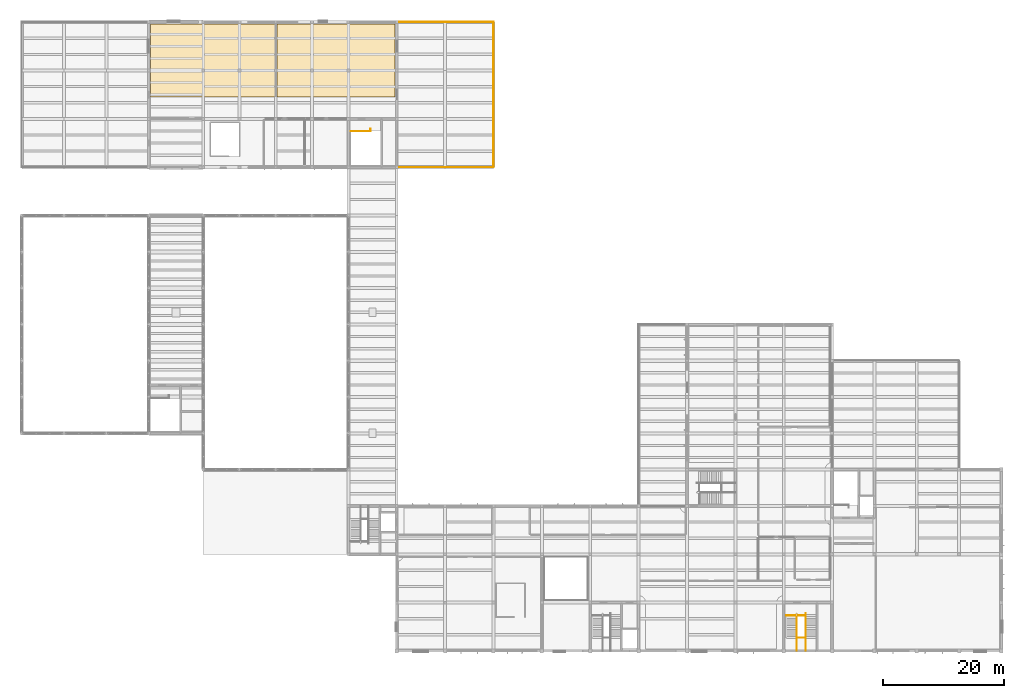
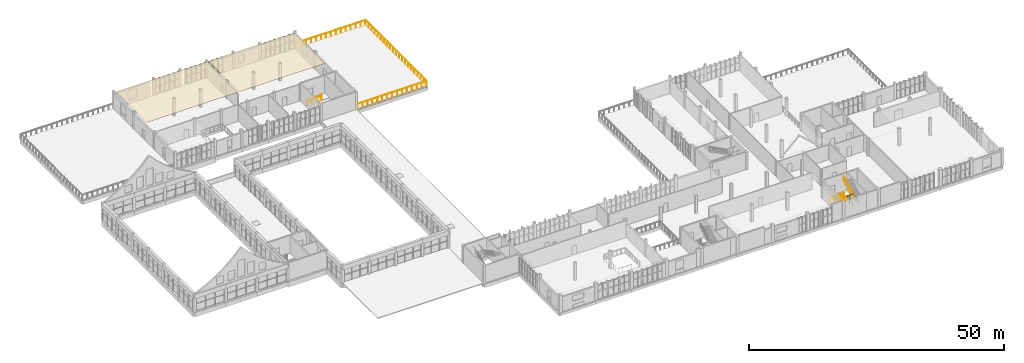
# One storey, part 68 of 70: 6 railings, 2 coverings.
"""IFC4 building model written with IfcOpenShell, lengths in metres."""

from ifc_helpers import new_model, si_unit, direction, frame, origin, origin_2d, place, context, subcontext, project, spatial, polyline, circle, outline, extrude, material, layer, layer_set, type_object, element, save


model = new_model("IFC4")

# Units and contexts
model_context = context("Model", 3, precision=1e-05, world=origin(), true_north=direction((0.0, 1.0)))
body_context = subcontext(model_context, "Body", "Model", "MODEL_VIEW")
ifc_project = project(units=[si_unit("LENGTHUNIT", "METRE"), si_unit("AREAUNIT", "SQUARE_METRE"), si_unit("VOLUMEUNIT", "CUBIC_METRE"), si_unit("PLANEANGLEUNIT", "RADIAN"), si_unit("MASSUNIT", "GRAM", prefix="KILO")], contexts=[model_context])

# Site, building, storey
site_placement = place(None, origin())
site = spatial("IfcSite", under=ifc_project, at=site_placement, CompositionType="ELEMENT")
building_placement = place(site_placement, origin())
building = spatial("IfcBuilding", under=site, at=building_placement, Name="Solvane Community Centre", CompositionType="ELEMENT")
storey_placement = place(building_placement, frame((0.0, 0.0, 9.60009765625)))
storey = spatial("IfcBuildingStorey", under=building, at=storey_placement, Name="L02", CompositionType="ELEMENT", Elevation=9.60009765625)

# Coverings
ifc_material_1 = material(Name="Acoustic timber slat ceiling", Category="wood")
ifc_layer = layer(ifc_material_1, 0.0400390625)
ifc_layer_set = layer_set([ifc_layer], Name="Acoustic timber slat ceiling")
covering_type = type_object("IfcCoveringType", Name="Acoustic Timber Slat Suspended Ceiling", PredefinedType="CEILING", material=ifc_layer_set)
covering_1_placement = place(storey_placement, frame((0.0, 0.0, 3.954833984375)))
element("IfcCovering", 1, at=covering_1_placement, inside=storey, type_object=covering_type, Name="Acoustic Ceiling L02-21", PredefinedType="CEILING", context=body_context, shape_type="SweptSolid", body=[
    extrude(outline(polyline([(27.320068359375, 97.6201171875), (27.320068359375, 109.679931640625), (47.97998046875, 109.679931640625), (47.97998046875, 97.6201171875), (27.320068359375, 97.6201171875)])), origin(), (0.0, 0.0, 1.0), 0.0400390625),
])
covering_2_placement = place(storey_placement, frame((0.0, 0.0, 3.954833984375)))
element("IfcCovering", 2, at=covering_2_placement, inside=storey, type_object=covering_type, Name="Acoustic Ceiling L02-22", PredefinedType="CEILING", context=body_context, shape_type="SweptSolid", body=[
    extrude(outline(polyline([(48.219970703125, 97.6201171875), (48.219970703125, 109.679931640625), (67.679931640625, 109.679931640625), (67.679931640625, 97.6201171875), (48.219970703125, 97.6201171875)])), origin(), (0.0, 0.0, 1.0), 0.0400390625),
])

# Railings
ifc_material_2 = material(Name="Anodised bronze aluminium AW-6063 T6", Category="aluminium")
railing_type_1 = type_object("IfcRailingType", Name="Interior Gallery & Stair Well Guard 1150mm", PredefinedType="BALUSTRADE", material=ifc_material_2)
railing_1_placement = place(storey_placement, frame((134.14990234375, 6.06005859375, 2.099853515625)))
element("IfcRailing", 3, at=railing_1_placement, inside=storey, type_object=railing_type_1, Name="Railing GR-L02-049", PredefinedType="BALUSTRADE", context=body_context, shape_type="SweptSolid", body=[
    extrude(circle(Radius=0.02392578125, at=origin_2d()), frame((0.0, 0.0, 1.1259765625), z_axis=(0.0, 1.0, 0.0), x_axis=(-1.0, 0.0, 0.0)), (0.0, 0.0, 1.0), 2.119873046875),
    extrude(circle(Radius=0.02392578125, at=origin_2d()), frame((0.0, 2.119873046875, 1.1259765625), z_axis=(1.0, 0.0, 0.0), x_axis=(0.0, 1.0, 0.0)), (0.0, 0.0, 1.0), 1.5),
    extrude(circle(Radius=0.02392578125, at=origin_2d()), frame((1.5, 2.119873046875, 1.1259765625), z_axis=(0.0, -1.0, 0.0), x_axis=(1.0, 0.0, 0.0)), (0.0, 0.0, 1.0), 2.119873046875),
    extrude(circle(Radius=0.02099609375, at=origin_2d()), origin(), (0.0, 0.0, 1.0), 1.101806640625),
    extrude(circle(Radius=0.02099609375, at=origin_2d()), frame((0.0, 1.06005859375, 0.0)), (0.0, 0.0, 1.0), 1.101806640625),
    extrude(circle(Radius=0.02099609375, at=origin_2d()), frame((0.0, 2.119873046875, 0.0)), (0.0, 0.0, 1.0), 1.101806640625),
    extrude(circle(Radius=0.02099609375, at=origin_2d()), frame((0.75, 2.119873046875, 0.0)), (0.0, 0.0, 1.0), 1.101806640625),
    extrude(circle(Radius=0.02099609375, at=origin_2d()), frame((1.5, 2.119873046875, 0.0)), (0.0, 0.0, 1.0), 1.101806640625),
    extrude(circle(Radius=0.02099609375, at=origin_2d()), frame((1.5, 1.06005859375, 0.0)), (0.0, 0.0, 1.0), 1.101806640625),
    extrude(circle(Radius=0.02099609375, at=origin_2d()), frame((1.5, 0.0, 0.0)), (0.0, 0.0, 1.0), 1.101806640625),
])
railing_2_placement = place(storey_placement, frame((132.43994140625, 11.860107421875, 0.0)))
element("IfcRailing", 4, at=railing_2_placement, inside=storey, type_object=railing_type_1, Name="Railing GR-L02-050", PredefinedType="BALUSTRADE", context=body_context, shape_type="SweptSolid", body=[
    extrude(circle(Radius=0.02392578125, at=origin_2d()), frame((0.0, 0.0, 1.1259765625), z_axis=(1.0, 0.0, 0.0), x_axis=(0.0, 1.0, 0.0)), (0.0, 0.0, 1.0), 3.2099609375),
    extrude(circle(Radius=0.02392578125, at=origin_2d()), frame((3.2099609375, 0.0, 1.1259765625), z_axis=(0.0, 1.0, 0.0), x_axis=(-1.0, 0.0, 0.0)), (0.0, 0.0, 1.0), 0.389892578125),
    extrude(circle(Radius=0.02099609375, at=origin_2d()), origin(), (0.0, 0.0, 1.0), 1.101806640625),
    extrude(circle(Radius=0.02099609375, at=origin_2d()), frame((1.070068359375, 0.0, 0.0)), (0.0, 0.0, 1.0), 1.101806640625),
    extrude(circle(Radius=0.02099609375, at=origin_2d()), frame((2.139892578125, 0.0, 0.0)), (0.0, 0.0, 1.0), 1.101806640625),
    extrude(circle(Radius=0.02099609375, at=origin_2d()), frame((3.2099609375, 0.0, 0.0)), (0.0, 0.0, 1.0), 1.101806640625),
    extrude(circle(Radius=0.02099609375, at=origin_2d()), frame((3.2099609375, 0.389892578125, 0.0)), (0.0, 0.0, 1.0), 1.101806640625),
])
railing_3_placement = place(storey_placement, frame((60.43994140625, 91.9599609375, 0.0)))
element("IfcRailing", 5, at=railing_3_placement, inside=storey, type_object=railing_type_1, Name="Railing GR-L02-103", PredefinedType="BALUSTRADE", context=body_context, shape_type="SweptSolid", body=[
    extrude(circle(Radius=0.02392578125, at=origin_2d()), frame((0.0, 0.0, 1.1259765625), z_axis=(1.0, 0.0, 0.0), x_axis=(0.0, 1.0, 0.0)), (0.0, 0.0, 1.0), 3.2099609375),
    extrude(circle(Radius=0.02392578125, at=origin_2d()), frame((3.2099609375, 0.0, 1.1259765625), z_axis=(0.0, 1.0, 0.0), x_axis=(-1.0, 0.0, 0.0)), (0.0, 0.0, 1.0), 0.39013671875),
    extrude(circle(Radius=0.02099609375, at=origin_2d()), origin(), (0.0, 0.0, 1.0), 1.101806640625),
    extrude(circle(Radius=0.02099609375, at=origin_2d()), frame((1.070068359375, 0.0, 0.0)), (0.0, 0.0, 1.0), 1.101806640625),
    extrude(circle(Radius=0.02099609375, at=origin_2d()), frame((2.139892578125, 0.0, 0.0)), (0.0, 0.0, 1.0), 1.101806640625),
    extrude(circle(Radius=0.02099609375, at=origin_2d()), frame((3.2099609375, 0.0, 0.0)), (0.0, 0.0, 1.0), 1.101806640625),
    extrude(circle(Radius=0.02099609375, at=origin_2d()), frame((3.2099609375, 0.39013671875, 0.0)), (0.0, 0.0, 1.0), 1.101806640625),
])
railing_type_2 = type_object("IfcRailingType", Name="Stair Pitch Handrail 900mm", PredefinedType="HANDRAIL", material=ifc_material_2)
railing_4_placement = place(storey_placement, frame((134.14990234375, 12.0, 0.0)))
element("IfcRailing", 6, at=railing_4_placement, inside=storey, type_object=railing_type_2, Name="Railing HR-L02-047", PredefinedType="HANDRAIL", context=body_context, shape_type="SweptSolid", body=[
    extrude(circle(Radius=0.02392578125, at=origin_2d()), frame((0.0, 0.0, 0.8759765625), z_axis=(0.0, -0.881489763865, 0.472203130232), x_axis=(1.0, 0.0, 0.0)), (0.0, 0.0, 1.0), 4.447021484375),
    extrude(circle(Radius=0.02099609375, at=origin_2d()), origin(), (0.0, 0.0, 1.0), 0.851806640625),
    extrude(circle(Radius=0.02099609375, at=origin_2d()), frame((0.0, -0.783935546875, 0.419921875)), (0.0, 0.0, 1.0), 0.851806640625),
    extrude(circle(Radius=0.02099609375, at=origin_2d()), frame((0.0, -1.56787109375, 0.83984375)), (0.0, 0.0, 1.0), 0.851806640625),
    extrude(circle(Radius=0.02099609375, at=origin_2d()), frame((0.0, -2.35205078125, 1.260009765625)), (0.0, 0.0, 1.0), 0.851806640625),
    extrude(circle(Radius=0.02099609375, at=origin_2d()), frame((0.0, -3.135986328125, 1.679931640625)), (0.0, 0.0, 1.0), 0.851806640625),
    extrude(circle(Radius=0.02099609375, at=origin_2d()), frame((0.0, -3.919921875, 2.099853515625)), (0.0, 0.0, 1.0), 0.851806640625),
])
railing_5_placement = place(storey_placement, frame((135.64990234375, 8.080078125, 2.099853515625)))
element("IfcRailing", 7, at=railing_5_placement, inside=storey, type_object=railing_type_2, Name="Railing HR-L02-048", PredefinedType="HANDRAIL", context=body_context, shape_type="SweptSolid", body=[
    extrude(circle(Radius=0.02392578125, at=origin_2d()), frame((0.0, 0.0, 0.8759765625), z_axis=(0.0, 0.881466911329, 0.472245787945), x_axis=(-1.0, 0.0, 0.0)), (0.0, 0.0, 1.0), 4.447021484375),
    extrude(circle(Radius=0.02099609375, at=origin_2d()), origin(), (0.0, 0.0, 1.0), 0.851806640625),
    extrude(circle(Radius=0.02099609375, at=origin_2d()), frame((0.0, 0.783935546875, 0.419921875)), (0.0, 0.0, 1.0), 0.851806640625),
    extrude(circle(Radius=0.02099609375, at=origin_2d()), frame((0.0, 1.56787109375, 0.840087890625)), (0.0, 0.0, 1.0), 0.851806640625),
    extrude(circle(Radius=0.02099609375, at=origin_2d()), frame((0.0, 2.35205078125, 1.260009765625)), (0.0, 0.0, 1.0), 0.851806640625),
    extrude(circle(Radius=0.02099609375, at=origin_2d()), frame((0.0, 3.135986328125, 1.68017578125)), (0.0, 0.0, 1.0), 0.851806640625),
    extrude(circle(Radius=0.02099609375, at=origin_2d()), frame((0.0, 3.919921875, 2.10009765625)), (0.0, 0.0, 1.0), 0.851806640625),
])
railing_type_3 = type_object("IfcRailingType", Name="Terrace Art Deco Guard Balustrade 1150mm", PredefinedType="BALUSTRADE", material=ifc_material_2)
railing_6_placement = place(storey_placement, frame((68.35009765625, 110.0, 0.0)))
element("IfcRailing", 8, at=railing_6_placement, inside=storey, type_object=railing_type_3, Name="Terrace Guard GRD-TER-005", PredefinedType="BALUSTRADE", context=body_context, shape_type="SweptSolid", body=[
    extrude(circle(Radius=0.02392578125, at=origin_2d()), frame((0.0, 0.0, 1.1259765625), z_axis=(1.0, 0.0, 0.0), x_axis=(0.0, 1.0, 0.0)), (0.0, 0.0, 1.0), 15.64990234375),
    extrude(circle(Radius=0.02392578125, at=origin_2d()), frame((15.64990234375, 0.0, 1.1259765625), z_axis=(0.0, -1.0, 0.0), x_axis=(1.0, 0.0, 0.0)), (0.0, 0.0, 1.0), 24.0),
    extrude(circle(Radius=0.02392578125, at=origin_2d()), frame((15.64990234375, -24.0, 1.1259765625), z_axis=(-1.0, 0.0, 0.0), x_axis=(0.0, -1.0, 0.0)), (0.0, 0.0, 1.0), 15.64990234375),
    extrude(circle(Radius=0.02099609375, at=origin_2d()), origin(), (0.0, 0.0, 1.0), 1.101806640625),
    extrude(circle(Radius=0.02099609375, at=origin_2d()), frame((1.117919921875, 0.0, 0.0)), (0.0, 0.0, 1.0), 1.101806640625),
    extrude(circle(Radius=0.02099609375, at=origin_2d()), frame((2.235595703125, 0.0, 0.0)), (0.0, 0.0, 1.0), 1.101806640625),
    extrude(circle(Radius=0.02099609375, at=origin_2d()), frame((3.353515625, 0.0, 0.0)), (0.0, 0.0, 1.0), 1.101806640625),
    extrude(circle(Radius=0.02099609375, at=origin_2d()), frame((4.471435546875, 0.0, 0.0)), (0.0, 0.0, 1.0), 1.101806640625),
    extrude(circle(Radius=0.02099609375, at=origin_2d()), frame((5.58935546875, 0.0, 0.0)), (0.0, 0.0, 1.0), 1.101806640625),
    extrude(circle(Radius=0.02099609375, at=origin_2d()), frame((6.70703125, 0.0, 0.0)), (0.0, 0.0, 1.0), 1.101806640625),
    extrude(circle(Radius=0.02099609375, at=origin_2d()), frame((7.824951171875, 0.0, 0.0)), (0.0, 0.0, 1.0), 1.101806640625),
    extrude(circle(Radius=0.02099609375, at=origin_2d()), frame((8.94287109375, 0.0, 0.0)), (0.0, 0.0, 1.0), 1.101806640625),
    extrude(circle(Radius=0.02099609375, at=origin_2d()), frame((10.060546875, 0.0, 0.0)), (0.0, 0.0, 1.0), 1.101806640625),
    extrude(circle(Radius=0.02099609375, at=origin_2d()), frame((11.178466796875, 0.0, 0.0)), (0.0, 0.0, 1.0), 1.101806640625),
    extrude(circle(Radius=0.02099609375, at=origin_2d()), frame((12.29638671875, 0.0, 0.0)), (0.0, 0.0, 1.0), 1.101806640625),
    extrude(circle(Radius=0.02099609375, at=origin_2d()), frame((13.414306640625, 0.0, 0.0)), (0.0, 0.0, 1.0), 1.101806640625),
    extrude(circle(Radius=0.02099609375, at=origin_2d()), frame((14.531982421875, 0.0, 0.0)), (0.0, 0.0, 1.0), 1.101806640625),
    extrude(circle(Radius=0.02099609375, at=origin_2d()), frame((15.64990234375, 0.0, 0.0)), (0.0, 0.0, 1.0), 1.101806640625),
    extrude(circle(Radius=0.02099609375, at=origin_2d()), frame((15.64990234375, -1.199951171875, 0.0)), (0.0, 0.0, 1.0), 1.101806640625),
    extrude(circle(Radius=0.02099609375, at=origin_2d()), frame((15.64990234375, -2.39990234375, 0.0)), (0.0, 0.0, 1.0), 1.101806640625),
    extrude(circle(Radius=0.02099609375, at=origin_2d()), frame((15.64990234375, -3.60009765625, 0.0)), (0.0, 0.0, 1.0), 1.101806640625),
    extrude(circle(Radius=0.02099609375, at=origin_2d()), frame((15.64990234375, -4.800048828125, 0.0)), (0.0, 0.0, 1.0), 1.101806640625),
    extrude(circle(Radius=0.02099609375, at=origin_2d()), frame((15.64990234375, -6.0, 0.0)), (0.0, 0.0, 1.0), 1.101806640625),
    extrude(circle(Radius=0.02099609375, at=origin_2d()), frame((15.64990234375, -7.199951171875, 0.0)), (0.0, 0.0, 1.0), 1.101806640625),
    extrude(circle(Radius=0.02099609375, at=origin_2d()), frame((15.64990234375, -8.39990234375, 0.0)), (0.0, 0.0, 1.0), 1.101806640625),
    extrude(circle(Radius=0.02099609375, at=origin_2d()), frame((15.64990234375, -9.60009765625, 0.0)), (0.0, 0.0, 1.0), 1.101806640625),
    extrude(circle(Radius=0.02099609375, at=origin_2d()), frame((15.64990234375, -10.800048828125, 0.0)), (0.0, 0.0, 1.0), 1.101806640625),
    extrude(circle(Radius=0.02099609375, at=origin_2d()), frame((15.64990234375, -12.0, 0.0)), (0.0, 0.0, 1.0), 1.101806640625),
    extrude(circle(Radius=0.02099609375, at=origin_2d()), frame((15.64990234375, -13.199951171875, 0.0)), (0.0, 0.0, 1.0), 1.101806640625),
    extrude(circle(Radius=0.02099609375, at=origin_2d()), frame((15.64990234375, -14.39990234375, 0.0)), (0.0, 0.0, 1.0), 1.101806640625),
    extrude(circle(Radius=0.02099609375, at=origin_2d()), frame((15.64990234375, -15.60009765625, 0.0)), (0.0, 0.0, 1.0), 1.101806640625),
    extrude(circle(Radius=0.02099609375, at=origin_2d()), frame((15.64990234375, -16.800048828125, 0.0)), (0.0, 0.0, 1.0), 1.101806640625),
    extrude(circle(Radius=0.02099609375, at=origin_2d()), frame((15.64990234375, -18.0, 0.0)), (0.0, 0.0, 1.0), 1.101806640625),
    extrude(circle(Radius=0.02099609375, at=origin_2d()), frame((15.64990234375, -19.199951171875, 0.0)), (0.0, 0.0, 1.0), 1.101806640625),
    extrude(circle(Radius=0.02099609375, at=origin_2d()), frame((15.64990234375, -20.39990234375, 0.0)), (0.0, 0.0, 1.0), 1.101806640625),
    extrude(circle(Radius=0.02099609375, at=origin_2d()), frame((15.64990234375, -21.60009765625, 0.0)), (0.0, 0.0, 1.0), 1.101806640625),
    extrude(circle(Radius=0.02099609375, at=origin_2d()), frame((15.64990234375, -22.800048828125, 0.0)), (0.0, 0.0, 1.0), 1.101806640625),
    extrude(circle(Radius=0.02099609375, at=origin_2d()), frame((15.64990234375, -24.0, 0.0)), (0.0, 0.0, 1.0), 1.101806640625),
    extrude(circle(Radius=0.02099609375, at=origin_2d()), frame((14.531982421875, -24.0, 0.0)), (0.0, 0.0, 1.0), 1.101806640625),
    extrude(circle(Radius=0.02099609375, at=origin_2d()), frame((13.414306640625, -24.0, 0.0)), (0.0, 0.0, 1.0), 1.101806640625),
    extrude(circle(Radius=0.02099609375, at=origin_2d()), frame((12.29638671875, -24.0, 0.0)), (0.0, 0.0, 1.0), 1.101806640625),
    extrude(circle(Radius=0.02099609375, at=origin_2d()), frame((11.178466796875, -24.0, 0.0)), (0.0, 0.0, 1.0), 1.101806640625),
    extrude(circle(Radius=0.02099609375, at=origin_2d()), frame((10.060546875, -24.0, 0.0)), (0.0, 0.0, 1.0), 1.101806640625),
    extrude(circle(Radius=0.02099609375, at=origin_2d()), frame((8.94287109375, -24.0, 0.0)), (0.0, 0.0, 1.0), 1.101806640625),
    extrude(circle(Radius=0.02099609375, at=origin_2d()), frame((7.824951171875, -24.0, 0.0)), (0.0, 0.0, 1.0), 1.101806640625),
    extrude(circle(Radius=0.02099609375, at=origin_2d()), frame((6.70703125, -24.0, 0.0)), (0.0, 0.0, 1.0), 1.101806640625),
    extrude(circle(Radius=0.02099609375, at=origin_2d()), frame((5.58935546875, -24.0, 0.0)), (0.0, 0.0, 1.0), 1.101806640625),
    extrude(circle(Radius=0.02099609375, at=origin_2d()), frame((4.471435546875, -24.0, 0.0)), (0.0, 0.0, 1.0), 1.101806640625),
    extrude(circle(Radius=0.02099609375, at=origin_2d()), frame((3.353515625, -24.0, 0.0)), (0.0, 0.0, 1.0), 1.101806640625),
    extrude(circle(Radius=0.02099609375, at=origin_2d()), frame((2.235595703125, -24.0, 0.0)), (0.0, 0.0, 1.0), 1.101806640625),
    extrude(circle(Radius=0.02099609375, at=origin_2d()), frame((1.117919921875, -24.0, 0.0)), (0.0, 0.0, 1.0), 1.101806640625),
    extrude(circle(Radius=0.02099609375, at=origin_2d()), frame((0.0, -24.0, 0.0)), (0.0, 0.0, 1.0), 1.101806640625),
])

save(model, "model.ifc")
